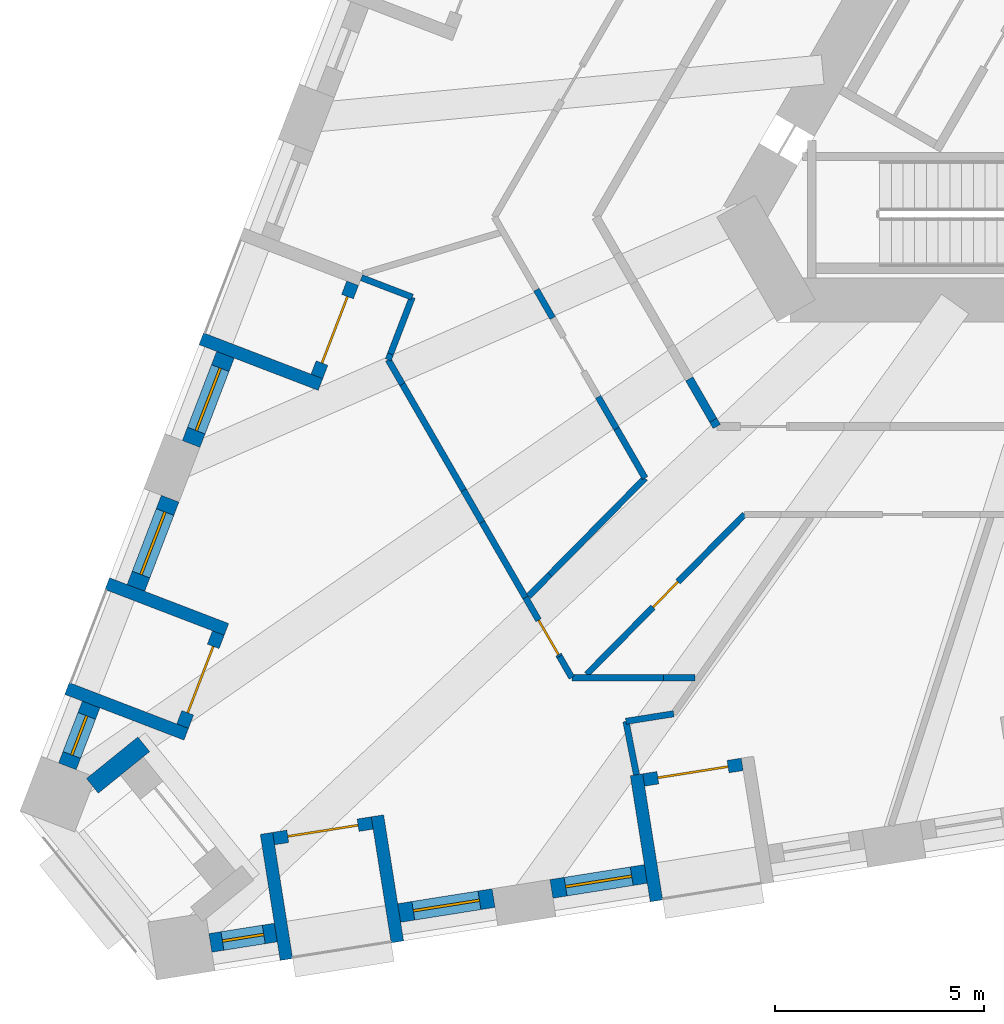
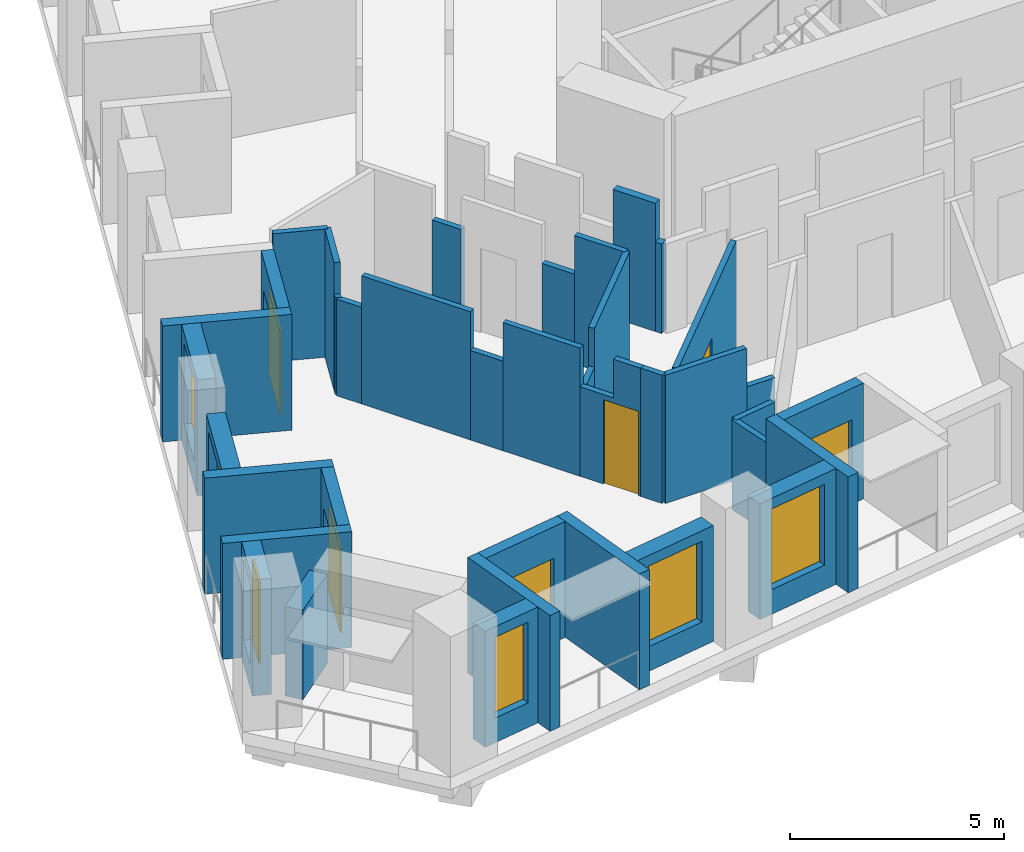
# One storey, part 2 of 14: 38 walls, 6 doors, 6 windows, 12 openings.
"""IFC4 building model written with IfcOpenShell, lengths in metres."""

from ifc_helpers import new_model, si_unit, direction, frame, frame_2d, origin, place, context, subcontext, project, spatial, polyline, rectangle, outline, extrude, material, layer, layer_set, type_object, element, fill, save


model = new_model("IFC4")

# Units and contexts
model_context = context("Model", 3, precision=1e-05, world=origin(), true_north=direction((0.0, 1.0)))
body_context = subcontext(model_context, "Body", "Model", "MODEL_VIEW")
ifc_project = project(units=[si_unit("LENGTHUNIT", "METRE"), si_unit("AREAUNIT", "SQUARE_METRE"), si_unit("VOLUMEUNIT", "CUBIC_METRE"), si_unit("PLANEANGLEUNIT", "RADIAN"), si_unit("MASSUNIT", "GRAM", prefix="KILO")], contexts=[model_context])

# Site, building, storey
site_placement = place(None, origin())
site = spatial("IfcSite", under=ifc_project, at=site_placement, CompositionType="ELEMENT")
building_placement = place(site_placement, origin())
building = spatial("IfcBuilding", under=site, at=building_placement, Name="Tramontana Tower", CompositionType="ELEMENT")
storey_placement = place(building_placement, frame((0.0, 0.0, 79.199951171875)))
storey = spatial("IfcBuildingStorey", under=building, at=storey_placement, Name="L17", CompositionType="ELEMENT", Elevation=79.199951171875)

# Walls
ifc_material_1 = material(Name="Blockwork", Category="masonry")
ifc_layer_1 = layer(ifc_material_1, 0.199951171875)
ifc_layer_set_1 = layer_set([ifc_layer_1], Name="ENTRY WALL 200")
wall_type_1 = type_object("IfcWallType", Name="ENTRY WALL 200", PredefinedType="SOLIDWALL", material=ifc_layer_set_1)
wall_1_placement = place(storey_placement, frame((-10.248046875, -9.25, 0.0), z_axis=(0.0, 0.0, 1.0), x_axis=(-0.499516518495, 0.866304362075, 0.0)))
element("IfcWall", 1, at=wall_1_placement, inside=storey, type_object=wall_type_1, Name="Wall v12-ew3-0", PredefinedType="SOLIDWALL", context=body_context, shape_type="SweptSolid", body=[
    extrude(rectangle(XDim=0.171142578125, YDim=0.199951171875, at=frame_2d((0.08544921875, 0.0))), origin(), (0.0, 0.0, 1.0), 2.550048828125),
])
wall_2_placement = place(storey_placement, frame((-10.33349609375, -9.101806640625, 0.0), z_axis=(0.0, 0.0, 1.0), x_axis=(-0.500049527193, 0.865996807358, 0.0)))
element("IfcWall", 2, at=wall_2_placement, inside=storey, type_object=wall_type_1, Name="Wall v12-ew3-1", PredefinedType="SOLIDWALL", context=body_context, shape_type="SweptSolid", body=[
    extrude(rectangle(XDim=1.1416015625, YDim=0.199951171875, at=frame_2d((0.57080078125, 0.0))), origin(), (0.0, 0.0, 1.0), 3.650146484375),
])

# Wall, opening, window
ifc_material_2 = material(Name="Precast concrete 60 MPa", Category="concrete")
ifc_layer_2 = layer(ifc_material_2, 0.449951171875)
ifc_layer_set_2 = layer_set([ifc_layer_2], Name="Precast concrete 60 MPa, 450 mm")
wall_type_2 = type_object("IfcWallType", Name="EW1 Stone-faced precast wall 450", PredefinedType="SOLIDWALL", material=ifc_layer_set_2)
wall_3_placement = place(storey_placement, frame((-21.986083984375, -7.536376953125, 0.0), z_axis=(0.0, 0.0, 1.0), x_axis=(-0.358355550725, -0.933585185864, 0.0)))
wall_3 = element("IfcWall", 3, at=wall_3_placement, inside=storey, type_object=wall_type_2, Name="External wall L17 face 0 bay 5", PredefinedType="SOLIDWALL", context=body_context, shape_type="SweptSolid", body=[
    extrude(rectangle(XDim=2.282958984375, YDim=0.449951171875, at=frame_2d((1.1416015625, 0.0))), origin(), (0.0, 0.0, 1.0), 3.300048828125),
])
opening_1_placement = place(wall_3_placement, frame((0.341552734375, 0.0, 0.699951171875)))
opening_1 = element("IfcOpeningElement", 4, at=opening_1_placement, cuts=wall_3, Name="Opening M1", PredefinedType="OPENING", context=body_context, shape_type="SweptSolid", body=[
    extrude(rectangle(XDim=1.60009765625, YDim=2.300048828125, at=frame_2d((0.800048828125, 1.14990234375))), frame((0.0, 0.23486328125, 0.0), z_axis=(0.0, -1.0, 0.0), x_axis=(1.0, 0.0, 0.0)), (0.0, 0.0, 1.0), 0.469970703125),
])
ifc_material_3 = material(Name="Aluminum frame, double glazing unit", Category="aluminium")
window_type_1 = type_object("IfcWindowType", Name="M1 Window 1.6 x 2.3", PartitioningType="SINGLE_PANEL", PredefinedType="WINDOW", material=ifc_material_3)
window_1_placement = place(opening_1_placement, origin())
window_1 = element("IfcWindow", 5, at=window_1_placement, inside=storey, type_object=window_type_1, Name="Window M1 L17 face 0 module 15", OverallHeight=2.300048828125, OverallWidth=1.60009765625, PartitioningType="SINGLE_PANEL", PredefinedType="WINDOW", context=body_context, shape_type="SweptSolid", body=[
    extrude(rectangle(XDim=1.60009765625, YDim=2.300048828125, at=frame_2d((0.800048828125, 1.14990234375))), frame((0.0, 0.030029296875, 0.0), z_axis=(0.0, -1.0, 0.0), x_axis=(1.0, 0.0, 0.0)), (0.0, 0.0, 1.0), 0.06005859375),
])
fill(opening_1, window_1)

wall_4_placement = place(storey_placement, frame((-23.305908203125, -10.974609375, 0.0), z_axis=(0.0, 0.0, 1.0), x_axis=(-0.358355550725, -0.933585185864, 0.0)))
wall_4 = element("IfcWall", 6, at=wall_4_placement, inside=storey, type_object=wall_type_2, Name="External wall L17 face 0 bay 6", PredefinedType="SOLIDWALL", context=body_context, shape_type="SweptSolid", body=[
    extrude(rectangle(XDim=2.282958984375, YDim=0.449951171875, at=frame_2d((1.1416015625, 0.0))), origin(), (0.0, 0.0, 1.0), 3.300048828125),
])
opening_2_placement = place(wall_4_placement, frame((0.341552734375, 0.0, 0.699951171875)))
opening_2 = element("IfcOpeningElement", 7, at=opening_2_placement, cuts=wall_4, Name="Opening M1", PredefinedType="OPENING", context=body_context, shape_type="SweptSolid", body=[
    extrude(rectangle(XDim=1.60009765625, YDim=2.300048828125, at=frame_2d((0.800048828125, 1.14990234375))), frame((0.0, 0.23486328125, 0.0), z_axis=(0.0, -1.0, 0.0), x_axis=(1.0, 0.0, 0.0)), (0.0, 0.0, 1.0), 0.469970703125),
])
window_2_placement = place(opening_2_placement, origin())
window_2 = element("IfcWindow", 8, at=window_2_placement, inside=storey, type_object=window_type_1, Name="Window M1 L17 face 0 module 16", OverallHeight=2.300048828125, OverallWidth=1.60009765625, PartitioningType="SINGLE_PANEL", PredefinedType="WINDOW", context=body_context, shape_type="SweptSolid", body=[
    extrude(rectangle(XDim=1.60009765625, YDim=2.300048828125, at=frame_2d((0.800048828125, 1.14990234375))), frame((0.0, 0.030029296875, 0.0), z_axis=(0.0, -1.0, 0.0), x_axis=(1.0, 0.0, 0.0)), (0.0, 0.0, 1.0), 0.06005859375),
])
fill(opening_2, window_2)

wall_5_placement = place(storey_placement, frame((-25.193115234375, -15.890869140625, 0.0), z_axis=(0.0, 0.0, 1.0), x_axis=(-0.358431261356, -0.933556120907, 0.0)))
wall_5 = element("IfcWall", 9, at=wall_5_placement, inside=storey, type_object=wall_type_2, Name="External wall L17 face 0 bay 6", PredefinedType="SOLIDWALL", context=body_context, shape_type="SweptSolid", body=[
    extrude(rectangle(XDim=1.5830078125, YDim=0.449951171875, at=frame_2d((0.79150390625, 0.0))), origin(), (0.0, 0.0, 1.0), 3.300048828125),
])
opening_3_placement = place(wall_5_placement, frame((0.29150390625, 0.0, 0.699951171875)))
opening_3 = element("IfcOpeningElement", 10, at=opening_3_placement, cuts=wall_5, Name="Opening N1", PredefinedType="OPENING", context=body_context, shape_type="SweptSolid", body=[
    extrude(rectangle(XDim=1.0, YDim=2.300048828125, at=frame_2d((0.5, 1.14990234375))), frame((0.0, 0.23486328125, 0.0), z_axis=(0.0, -1.0, 0.0), x_axis=(1.0, 0.0, 0.0)), (0.0, 0.0, 1.0), 0.469970703125),
])
ifc_material_4 = material(Name="Aluminum frame, double glazing unit", Category="aluminium")
window_type_2 = type_object("IfcWindowType", Name="N1 Window 1 x 2.3", PartitioningType="SINGLE_PANEL", PredefinedType="WINDOW", material=ifc_material_4)
window_3_placement = place(opening_3_placement, origin())
window_3 = element("IfcWindow", 11, at=window_3_placement, inside=storey, type_object=window_type_2, Name="Window N1 L17 face 0 module 18", OverallHeight=2.300048828125, OverallWidth=1.0, PartitioningType="SINGLE_PANEL", PredefinedType="WINDOW", context=body_context, shape_type="SweptSolid", body=[
    extrude(rectangle(XDim=1.0, YDim=2.300048828125, at=frame_2d((0.5, 1.14990234375))), frame((0.0, 0.030029296875, 0.0), z_axis=(0.0, -1.0, 0.0), x_axis=(1.0, 0.0, 0.0)), (0.0, 0.0, 1.0), 0.06005859375),
])
fill(opening_3, window_3)

wall_6_placement = place(storey_placement, frame((-22.344970703125, -21.586181640625, 0.0), z_axis=(0.0, 0.0, 1.0), x_axis=(0.987695344573, 0.156390237257, 0.0)))
wall_6 = element("IfcWall", 12, at=wall_6_placement, inside=storey, type_object=wall_type_2, Name="External wall L17 face 1 bay 1", PredefinedType="SOLIDWALL", context=body_context, shape_type="SweptSolid", body=[
    extrude(rectangle(XDim=1.5830078125, YDim=0.449951171875, at=frame_2d((0.79150390625, 0.0))), origin(), (0.0, 0.0, 1.0), 3.300048828125),
])
opening_4_placement = place(wall_6_placement, frame((0.29150390625, 0.0, 0.699951171875)))
opening_4 = element("IfcOpeningElement", 13, at=opening_4_placement, cuts=wall_6, Name="Opening N1", PredefinedType="OPENING", context=body_context, shape_type="SweptSolid", body=[
    extrude(rectangle(XDim=1.0, YDim=2.300048828125, at=frame_2d((0.5, 1.14990234375))), frame((0.0, 0.23486328125, 0.0), z_axis=(0.0, -1.0, 0.0), x_axis=(1.0, 0.0, 0.0)), (0.0, 0.0, 1.0), 0.469970703125),
])
window_4_placement = place(opening_4_placement, origin())
window_4 = element("IfcWindow", 14, at=window_4_placement, inside=storey, type_object=window_type_2, Name="Window N1 L17 face 1 module 1", OverallHeight=2.300048828125, OverallWidth=1.0, PartitioningType="SINGLE_PANEL", PredefinedType="WINDOW", context=body_context, shape_type="SweptSolid", body=[
    extrude(rectangle(XDim=1.0, YDim=2.300048828125, at=frame_2d((0.5, 1.14990234375))), frame((0.0, 0.030029296875, 0.0), z_axis=(0.0, -1.0, 0.0), x_axis=(1.0, 0.0, 0.0)), (0.0, 0.0, 1.0), 0.06005859375),
])
fill(opening_4, window_4)

wall_7_placement = place(storey_placement, frame((-17.835205078125, -20.8720703125, 0.0), z_axis=(0.0, 0.0, 1.0), x_axis=(0.987685675151, 0.156451293065, 0.0)))
wall_7 = element("IfcWall", 15, at=wall_7_placement, inside=storey, type_object=wall_type_2, Name="External wall L17 face 1 bay 1", PredefinedType="SOLIDWALL", context=body_context, shape_type="SweptSolid", body=[
    extrude(rectangle(XDim=2.282958984375, YDim=0.449951171875, at=frame_2d((1.1416015625, 0.0))), origin(), (0.0, 0.0, 1.0), 3.300048828125),
])
opening_5_placement = place(wall_7_placement, frame((0.341552734375, 0.0, 0.699951171875)))
opening_5 = element("IfcOpeningElement", 16, at=opening_5_placement, cuts=wall_7, Name="Opening M1", PredefinedType="OPENING", context=body_context, shape_type="SweptSolid", body=[
    extrude(rectangle(XDim=1.60009765625, YDim=2.300048828125, at=frame_2d((0.800048828125, 1.14990234375))), frame((0.0, 0.23486328125, 0.0), z_axis=(0.0, -1.0, 0.0), x_axis=(1.0, 0.0, 0.0)), (0.0, 0.0, 1.0), 0.469970703125),
])
window_5_placement = place(opening_5_placement, origin())
window_5 = element("IfcWindow", 17, at=window_5_placement, inside=storey, type_object=window_type_1, Name="Window M1 L17 face 1 module 3", OverallHeight=2.300048828125, OverallWidth=1.60009765625, PartitioningType="SINGLE_PANEL", PredefinedType="WINDOW", context=body_context, shape_type="SweptSolid", body=[
    extrude(rectangle(XDim=1.60009765625, YDim=2.300048828125, at=frame_2d((0.800048828125, 1.14990234375))), frame((0.0, 0.030029296875, 0.0), z_axis=(0.0, -1.0, 0.0), x_axis=(1.0, 0.0, 0.0)), (0.0, 0.0, 1.0), 0.06005859375),
])
fill(opening_5, window_5)

wall_8_placement = place(storey_placement, frame((-14.19775390625, -20.2958984375, 0.0), z_axis=(0.0, 0.0, 1.0), x_axis=(0.987685675151, 0.156451293065, 0.0)))
wall_8 = element("IfcWall", 18, at=wall_8_placement, inside=storey, type_object=wall_type_2, Name="External wall L17 face 1 bay 2", PredefinedType="SOLIDWALL", context=body_context, shape_type="SweptSolid", body=[
    extrude(rectangle(XDim=2.282958984375, YDim=0.449951171875, at=frame_2d((1.1416015625, 0.0))), origin(), (0.0, 0.0, 1.0), 3.300048828125),
])
opening_6_placement = place(wall_8_placement, frame((0.341552734375, 0.0, 0.699951171875)))
opening_6 = element("IfcOpeningElement", 19, at=opening_6_placement, cuts=wall_8, Name="Opening M1", PredefinedType="OPENING", context=body_context, shape_type="SweptSolid", body=[
    extrude(rectangle(XDim=1.60009765625, YDim=2.300048828125, at=frame_2d((0.800048828125, 1.14990234375))), frame((0.0, 0.23486328125, 0.0), z_axis=(0.0, -1.0, 0.0), x_axis=(1.0, 0.0, 0.0)), (0.0, 0.0, 1.0), 0.469970703125),
])
window_6_placement = place(opening_6_placement, origin())
window_6 = element("IfcWindow", 20, at=window_6_placement, inside=storey, type_object=window_type_1, Name="Window M1 L17 face 1 module 4", OverallHeight=2.300048828125, OverallWidth=1.60009765625, PartitioningType="SINGLE_PANEL", PredefinedType="WINDOW", context=body_context, shape_type="SweptSolid", body=[
    extrude(rectangle(XDim=1.60009765625, YDim=2.300048828125, at=frame_2d((0.800048828125, 1.14990234375))), frame((0.0, 0.030029296875, 0.0), z_axis=(0.0, -1.0, 0.0), x_axis=(1.0, 0.0, 0.0)), (0.0, 0.0, 1.0), 0.06005859375),
])
fill(opening_6, window_6)

# Wall
wall_9_placement = place(storey_placement, frame((-25.162841796875, -17.835205078125, 0.0), z_axis=(0.0, 0.0, 1.0), x_axis=(0.777129655516, 0.629340526677, 0.0)))
element("IfcWall", 21, at=wall_9_placement, inside=storey, type_object=wall_type_2, Name="Corner loggia side wall L17 K11r", PredefinedType="SOLIDWALL", context=body_context, shape_type="SweptSolid", body=[
    extrude(rectangle(XDim=1.579345703125, YDim=0.449951171875, at=frame_2d((0.78955078125, 0.0))), origin(), (0.0, 0.0, 1.0), 2.550048828125),
])

# Wall, opening, door
ifc_material_5 = material(Name="Precast concrete 60 MPa", Category="concrete")
ifc_layer_3 = layer(ifc_material_5, 0.300048828125)
ifc_layer_set_3 = layer_set([ifc_layer_3], Name="LW1 Stone-faced loggia wall 300")
wall_type_3 = type_object("IfcWallType", Name="LW1 Stone-faced loggia wall 300", PredefinedType="SOLIDWALL", material=ifc_layer_set_3)
wall_10_placement = place(storey_placement, frame((-18.947265625, -5.828857421875, 0.0), z_axis=(0.0, 0.0, 1.0), x_axis=(-0.358354292693, -0.933585668757, 0.0)))
wall_10 = element("IfcWall", 22, at=wall_10_placement, inside=storey, type_object=wall_type_3, Name="Loggia wall L17 G1S0.13", PredefinedType="SOLIDWALL", context=body_context, shape_type="SweptSolid", body=[
    extrude(rectangle(XDim=2.383056640625, YDim=0.300048828125, at=frame_2d((1.19140625, 0.0))), origin(), (0.0, 0.0, 1.0), 3.300048828125),
])
opening_7_placement = place(wall_10_placement, frame((0.341552734375, 0.0, 0.0)))
opening_7 = element("IfcOpeningElement", 23, at=opening_7_placement, cuts=wall_10, Name="Opening BD-1S0-13", PredefinedType="OPENING", context=body_context, shape_type="SweptSolid", body=[
    extrude(rectangle(XDim=1.699951171875, YDim=2.39990234375, at=frame_2d((0.85009765625, 1.199951171875))), frame((0.0, 0.159912109375, 0.0), z_axis=(0.0, -1.0, 0.0), x_axis=(1.0, 0.0, 0.0)), (0.0, 0.0, 1.0), 0.320068359375),
])
ifc_material_6 = material(Name="Aluminum frame, double glazing unit", Category="aluminium")
door_type_1 = type_object("IfcDoorType", Name="BD1 Sliding door 1.7 x 2.4", OperationType="SLIDING_TO_LEFT", PredefinedType="DOOR", material=ifc_material_6)
door_1_placement = place(opening_7_placement, origin())
door_1 = element("IfcDoor", 24, at=door_1_placement, inside=storey, type_object=door_type_1, Name="Loggia door L17 G1S0.13", OperationType="SLIDING_TO_LEFT", OverallHeight=2.39990234375, OverallWidth=1.699951171875, PredefinedType="DOOR", context=body_context, shape_type="SweptSolid", body=[
    extrude(rectangle(XDim=1.699951171875, YDim=2.39990234375, at=frame_2d((0.85009765625, 1.199951171875))), frame((0.0, 0.02490234375, 0.0), z_axis=(0.0, -1.0, 0.0), x_axis=(1.0, 0.0, 0.0)), (0.0, 0.0, 1.0), 0.050048828125),
])
fill(opening_7, door_1)

# Wall
wall_11_placement = place(storey_placement, frame((-22.5625, -7.154296875, 0.0), z_axis=(0.0, 0.0, 1.0), x_axis=(0.933580593625, -0.358367514161, 0.0)))
element("IfcWall", 25, at=wall_11_placement, inside=storey, type_object=wall_type_3, Name="Loggia return L17 G1S0.13b", PredefinedType="SOLIDWALL", context=body_context, shape_type="SweptSolid", body=[
    extrude(rectangle(XDim=3.050048828125, YDim=0.300048828125, at=frame_2d((1.52490234375, 0.0))), origin(), (0.0, 0.0, 1.0), 3.300048828125),
])

# Wall, opening, door
wall_12_placement = place(storey_placement, frame((-22.154296875, -14.18359375, 0.0), z_axis=(0.0, 0.0, 1.0), x_axis=(-0.35838856932, -0.933572511046, 0.0)))
wall_12 = element("IfcWall", 26, at=wall_12_placement, inside=storey, type_object=wall_type_3, Name="Loggia wall L17 G1S0.16", PredefinedType="SOLIDWALL", context=body_context, shape_type="SweptSolid", body=[
    extrude(rectangle(XDim=2.3828125, YDim=0.300048828125, at=frame_2d((1.19140625, 0.0))), origin(), (0.0, 0.0, 1.0), 3.300048828125),
])
opening_8_placement = place(wall_12_placement, frame((0.341552734375, 0.0, 0.0)))
opening_8 = element("IfcOpeningElement", 27, at=opening_8_placement, cuts=wall_12, Name="Opening BD-1S0-16", PredefinedType="OPENING", context=body_context, shape_type="SweptSolid", body=[
    extrude(rectangle(XDim=1.699951171875, YDim=2.39990234375, at=frame_2d((0.85009765625, 1.199951171875))), frame((0.0, 0.159912109375, 0.0), z_axis=(0.0, -1.0, 0.0), x_axis=(1.0, 0.0, 0.0)), (0.0, 0.0, 1.0), 0.320068359375),
])
door_2_placement = place(opening_8_placement, origin())
door_2 = element("IfcDoor", 28, at=door_2_placement, inside=storey, type_object=door_type_1, Name="Loggia door L17 G1S0.16", OperationType="SLIDING_TO_LEFT", OverallHeight=2.39990234375, OverallWidth=1.699951171875, PredefinedType="DOOR", context=body_context, shape_type="SweptSolid", body=[
    extrude(rectangle(XDim=1.699951171875, YDim=2.39990234375, at=frame_2d((0.85009765625, 1.199951171875))), frame((0.0, 0.02490234375, 0.0), z_axis=(0.0, -1.0, 0.0), x_axis=(1.0, 0.0, 0.0)), (0.0, 0.0, 1.0), 0.050048828125),
])
fill(opening_8, door_2)

# Walls
for number, where, z_axis, x_axis, name in (
    (29, (-24.80810546875, -13.004150390625, 0.0), (0.0, 0.0, 1.0), (0.933580593625, -0.358367514161, 0.0), "Loggia return L17 G1S0.16a"),
    (30, (-25.76953125, -15.509033203125, 0.0), (0.0, 0.0, 1.0), (0.933580593625, -0.358367514161, 0.0), "Loggia return L17 G1S0.16b"),
):
    element("IfcWall", number, at=place(storey_placement, frame(where, z_axis=z_axis, x_axis=x_axis)), inside=storey, type_object=wall_type_3, Name=name, PredefinedType="SOLIDWALL", context=body_context, shape_type="SweptSolid", body=[
        extrude(rectangle(XDim=3.050048828125, YDim=0.300048828125, at=frame_2d((1.52490234375, 0.0))), origin(), (0.0, 0.0, 1.0), 3.300048828125),
    ])

# Wall, opening, door
wall_13_placement = place(storey_placement, frame((-20.833251953125, -19.09423828125, 0.0), z_axis=(0.0, 0.0, 1.0), x_axis=(0.987685586014, 0.156451855793, 0.0)))
wall_13 = element("IfcWall", 31, at=wall_13_placement, inside=storey, type_object=wall_type_3, Name="Loggia wall L17 G1S1.1", PredefinedType="SOLIDWALL", context=body_context, shape_type="SweptSolid", body=[
    extrude(rectangle(XDim=2.3828125, YDim=0.300048828125, at=frame_2d((1.19140625, 0.0))), origin(), (0.0, 0.0, 1.0), 3.300048828125),
])
opening_9_placement = place(wall_13_placement, frame((0.341552734375, 0.0, 0.0)))
opening_9 = element("IfcOpeningElement", 32, at=opening_9_placement, cuts=wall_13, Name="Opening BD-1S1-01", PredefinedType="OPENING", context=body_context, shape_type="SweptSolid", body=[
    extrude(rectangle(XDim=1.699951171875, YDim=2.39990234375, at=frame_2d((0.85009765625, 1.199951171875))), frame((0.0, 0.159912109375, 0.0), z_axis=(0.0, -1.0, 0.0), x_axis=(1.0, 0.0, 0.0)), (0.0, 0.0, 1.0), 0.320068359375),
])
door_3_placement = place(opening_9_placement, origin())
door_3 = element("IfcDoor", 33, at=door_3_placement, inside=storey, type_object=door_type_1, Name="Loggia door L17 G1S1.1", OperationType="SLIDING_TO_LEFT", OverallHeight=2.39990234375, OverallWidth=1.699951171875, PredefinedType="DOOR", context=body_context, shape_type="SweptSolid", body=[
    extrude(rectangle(XDim=1.699951171875, YDim=2.39990234375, at=frame_2d((0.85009765625, 1.199951171875))), frame((0.0, 0.02490234375, 0.0), z_axis=(0.0, -1.0, 0.0), x_axis=(1.0, 0.0, 0.0)), (0.0, 0.0, 1.0), 0.050048828125),
])
fill(opening_9, door_3)

# Walls
for number, where, z_axis, x_axis, name in (
    (34, (-20.52783203125, -21.98193359375, 0.0), (0.0, 0.0, 1.0), (-0.156410600741, 0.987692120033, 0.0), "Loggia return L17 G1S1.1a"),
    (35, (-17.8779296875, -21.562255859375, 0.0), (0.0, 0.0, 1.0), (-0.156410600741, 0.987692120033, 0.0), "Loggia return L17 G1S1.1b"),
):
    element("IfcWall", number, at=place(storey_placement, frame(where, z_axis=z_axis, x_axis=x_axis)), inside=storey, type_object=wall_type_3, Name=name, PredefinedType="SOLIDWALL", context=body_context, shape_type="SweptSolid", body=[
        extrude(rectangle(XDim=3.050048828125, YDim=0.300048828125, at=frame_2d((1.52490234375, 0.0))), origin(), (0.0, 0.0, 1.0), 3.300048828125),
    ])

# Wall, opening, door
wall_14_placement = place(storey_placement, frame((-11.99462890625, -17.694091796875, 0.0), z_axis=(0.0, 0.0, 1.0), x_axis=(0.98770391772, 0.156336083232, 0.0)))
wall_14 = element("IfcWall", 36, at=wall_14_placement, inside=storey, type_object=wall_type_3, Name="Loggia wall L17 G1S1.4", PredefinedType="SOLIDWALL", context=body_context, shape_type="SweptSolid", body=[
    extrude(rectangle(XDim=2.383056640625, YDim=0.300048828125, at=frame_2d((1.19140625, 0.0))), origin(), (0.0, 0.0, 1.0), 3.300048828125),
])
opening_10_placement = place(wall_14_placement, frame((0.341552734375, 0.0, 0.0)))
opening_10 = element("IfcOpeningElement", 37, at=opening_10_placement, cuts=wall_14, Name="Opening BD-1S1-04", PredefinedType="OPENING", context=body_context, shape_type="SweptSolid", body=[
    extrude(rectangle(XDim=1.699951171875, YDim=2.39990234375, at=frame_2d((0.85009765625, 1.199951171875))), frame((0.0, 0.159912109375, 0.0), z_axis=(0.0, -1.0, 0.0), x_axis=(1.0, 0.0, 0.0)), (0.0, 0.0, 1.0), 0.320068359375),
])
door_4_placement = place(opening_10_placement, origin())
door_4 = element("IfcDoor", 38, at=door_4_placement, inside=storey, type_object=door_type_1, Name="Loggia door L17 G1S1.4", OperationType="SLIDING_TO_LEFT", OverallHeight=2.39990234375, OverallWidth=1.699951171875, PredefinedType="DOOR", context=body_context, shape_type="SweptSolid", body=[
    extrude(rectangle(XDim=1.699951171875, YDim=2.39990234375, at=frame_2d((0.85009765625, 1.199951171875))), frame((0.0, 0.02490234375, 0.0), z_axis=(0.0, -1.0, 0.0), x_axis=(1.0, 0.0, 0.0)), (0.0, 0.0, 1.0), 0.050048828125),
])
fill(opening_10, door_4)

# Walls
wall_15_placement = place(storey_placement, frame((-11.68896484375, -20.58203125, 0.0), z_axis=(0.0, 0.0, 1.0), x_axis=(-0.156488687365, 0.987679751097, 0.0)))
element("IfcWall", 39, at=wall_15_placement, inside=storey, type_object=wall_type_3, Name="Loggia return L17 G1S1.4a", PredefinedType="SOLIDWALL", context=body_context, shape_type="SweptSolid", body=[
    extrude(rectangle(XDim=3.050048828125, YDim=0.300048828125, at=frame_2d((1.52490234375, 0.0))), origin(), (0.0, 0.0, 1.0), 3.300048828125),
])
ifc_material_7 = material(Name="Gypsum board partition")
ifc_layer_4 = layer(ifc_material_7, 0.14990234375)
ifc_layer_set_4 = layer_set([ifc_layer_4], Name="PARTITION 150")
wall_type_4 = type_object("IfcWallType", Name="PARTITION 150", PredefinedType="PARTITIONING", material=ifc_layer_set_4)
wall_16_placement = place(storey_placement, frame((-18.095703125, -7.6572265625, 0.0), z_axis=(0.0, 0.0, 1.0), x_axis=(0.357769069642, 0.933810094616, 0.0)))
element("IfcWall", 40, at=wall_16_placement, inside=storey, type_object=wall_type_4, Name="Wall v12-pw01-0", PredefinedType="PARTITIONING", context=body_context, shape_type="SweptSolid", body=[
    extrude(rectangle(XDim=0.148681640625, YDim=0.14990234375, at=frame_2d((0.07421875, 0.0))), origin(), (0.0, 0.0, 1.0), 2.75),
])
wall_17_placement = place(storey_placement, frame((-18.04248046875, -7.518310546875, 0.0), z_axis=(0.0, 0.0, 1.0), x_axis=(0.358358926924, 0.933583889907, 0.0)))
element("IfcWall", 41, at=wall_17_placement, inside=storey, type_object=wall_type_4, Name="Wall v12-pw01-1", PredefinedType="PARTITIONING", context=body_context, shape_type="SweptSolid", body=[
    extrude(rectangle(XDim=1.451171875, YDim=0.14990234375, at=frame_2d((0.7255859375, 0.0))), origin(), (0.0, 0.0, 1.0), 3.650146484375),
])
wall_18_placement = place(storey_placement, frame((-17.523681640625, -6.1611328125, 0.0), z_axis=(0.0, 0.0, 1.0), x_axis=(-0.933549030412, 0.358449728438, 0.0)))
element("IfcWall", 42, at=wall_18_placement, inside=storey, type_object=wall_type_4, Name="Wall v12-pw02", PredefinedType="PARTITIONING", context=body_context, shape_type="SweptSolid", body=[
    extrude(rectangle(XDim=1.298095703125, YDim=0.14990234375, at=frame_2d((0.64892578125, 0.0))), origin(), (0.0, 0.0, 1.0), 3.650146484375),
])
wall_19_placement = place(storey_placement, frame((-14.7470703125, -13.307373046875, 0.0), z_axis=(0.0, 0.0, 1.0), x_axis=(0.702386148925, 0.711796106901, 0.0)))
element("IfcWall", 43, at=wall_19_placement, inside=storey, type_object=wall_type_4, Name="Wall v12-pw05-0", PredefinedType="PARTITIONING", context=body_context, shape_type="SweptSolid", body=[
    extrude(rectangle(XDim=0.7265625, YDim=0.14990234375, at=frame_2d((0.36328125, 0.0))), origin(), (0.0, 0.0, 1.0), 2.550048828125),
])
wall_20_placement = place(storey_placement, frame((-14.23681640625, -12.790283203125, 0.0), z_axis=(0.0, 0.0, 1.0), x_axis=(0.702344771422, 0.711836935018, 0.0)))
element("IfcWall", 44, at=wall_20_placement, inside=storey, type_object=wall_type_4, Name="Wall v12-pw05-1", PredefinedType="PARTITIONING", context=body_context, shape_type="SweptSolid", body=[
    extrude(rectangle(XDim=3.24072265625, YDim=0.14990234375, at=frame_2d((1.620361328125, 0.0))), origin(), (0.0, 0.0, 1.0), 3.650146484375),
])
wall_21_placement = place(storey_placement, frame((-13.712158203125, -15.25, 0.0), z_axis=(0.0, 0.0, 1.0), x_axis=(-0.499999433879, 0.866025730634, 0.0)))
element("IfcWall", 45, at=wall_21_placement, inside=storey, type_object=wall_type_4, Name="Wall v12-pw06-0", PredefinedType="PARTITIONING", context=body_context, shape_type="SweptSolid", body=[
    extrude(rectangle(XDim=0.5849609375, YDim=0.14990234375, at=frame_2d((0.29248046875, 0.0))), origin(), (0.0, 0.0, 1.0), 3.650146484375),
])

# Wall, opening, door
wall_22_placement = place(storey_placement, frame((-14.004638671875, -14.743408203125, 0.0), z_axis=(0.0, 0.0, 1.0), x_axis=(-0.499952193351, 0.866053003207, 0.0)))
wall_22 = element("IfcWall", 46, at=wall_22_placement, inside=storey, type_object=wall_type_4, Name="Wall v12-pw06-1", PredefinedType="PARTITIONING", context=body_context, shape_type="SweptSolid", body=[
    extrude(outline(polyline([(0.0, 0.0), (1.625244140625, 0.0), (1.625, 2.550048828125), (0.72607421875, 2.550048828125), (0.72607421875, 3.650146484375), (0.0, 3.650146484375), (0.0, 0.0)])), frame((0.0, 0.074951171875, 0.0), z_axis=(0.0, -1.0, 0.0), x_axis=(1.0, 0.0, 0.0)), (0.0, 0.0, 1.0), 0.14990234375),
])
opening_11_placement = place(wall_22_placement, frame((0.050048828125, 0.0, 0.0)))
opening_11 = element("IfcOpeningElement", 47, at=opening_11_placement, cuts=wall_22, Name="Opening B1C-10", PredefinedType="OPENING", context=body_context, shape_type="SweptSolid", body=[
    extrude(rectangle(XDim=0.949951171875, YDim=2.39990234375, at=frame_2d((0.47509765625, 1.199951171875))), frame((0.0, 0.0849609375, 0.0), z_axis=(0.0, -1.0, 0.0), x_axis=(1.0, 0.0, 0.0)), (0.0, 0.0, 1.0), 0.169921875),
])
ifc_material_8 = material(Name="Painted timber", Category="wood")
door_type_2 = type_object("IfcDoorType", Name="DOOR ROOM 950", OperationType="SINGLE_SWING_LEFT", PredefinedType="DOOR", material=ifc_material_8)
door_5_placement = place(opening_11_placement, origin())
door_5 = element("IfcDoor", 48, at=door_5_placement, inside=storey, type_object=door_type_2, Name="Door B1C-10", OperationType="SINGLE_SWING_RIGHT", OverallHeight=2.39990234375, OverallWidth=0.949951171875, PredefinedType="DOOR", context=body_context, shape_type="SweptSolid", body=[
    extrude(rectangle(XDim=0.949951171875, YDim=2.39990234375, at=frame_2d((0.47509765625, 1.199951171875))), frame((0.0, 0.02490234375, 0.0), z_axis=(0.0, -1.0, 0.0), x_axis=(1.0, 0.0, 0.0)), (0.0, 0.0, 1.0), 0.050048828125),
])
fill(opening_11, door_5)

# Walls
wall_23_placement = place(storey_placement, frame((-14.817138671875, -13.3359375, 0.0), z_axis=(0.0, 0.0, 1.0), x_axis=(-0.500027264788, 0.866009661879, 0.0)))
element("IfcWall", 49, at=wall_23_placement, inside=storey, type_object=wall_type_4, Name="Wall v12-pw06-2", PredefinedType="PARTITIONING", context=body_context, shape_type="SweptSolid", body=[
    extrude(rectangle(XDim=2.080078125, YDim=0.14990234375, at=frame_2d((1.0400390625, 0.0))), origin(), (0.0, 0.0, 1.0), 3.650146484375),
])
wall_24_placement = place(storey_placement, frame((-15.857177734375, -11.53466796875, 0.0), z_axis=(0.0, 0.0, 1.0), x_axis=(-0.49990697594, 0.86607910459, 0.0)))
element("IfcWall", 50, at=wall_24_placement, inside=storey, type_object=wall_type_4, Name="Wall v12-pw06-3", PredefinedType="PARTITIONING", context=body_context, shape_type="SweptSolid", body=[
    extrude(rectangle(XDim=0.878173828125, YDim=0.14990234375, at=frame_2d((0.43896484375, 0.0))), origin(), (0.0, 0.0, 1.0), 2.550048828125),
])
wall_25_placement = place(storey_placement, frame((-16.296142578125, -10.774169921875, 0.0), z_axis=(0.0, 0.0, 1.0), x_axis=(-0.499980071345, 0.866036909293, 0.0)))
element("IfcWall", 51, at=wall_25_placement, inside=storey, type_object=wall_type_4, Name="Wall v12-pw06-4", PredefinedType="PARTITIONING", context=body_context, shape_type="SweptSolid", body=[
    extrude(rectangle(XDim=2.92578125, YDim=0.14990234375, at=frame_2d((1.462890625, 0.0))), origin(), (0.0, 0.0, 1.0), 3.650146484375),
])
wall_26_placement = place(storey_placement, frame((-17.759033203125, -8.240234375, 0.0), z_axis=(0.0, 0.0, 1.0), x_axis=(-0.500078207394, 0.865980246016, 0.0)))
element("IfcWall", 52, at=wall_26_placement, inside=storey, type_object=wall_type_4, Name="Wall v12-pw06-5", PredefinedType="PARTITIONING", context=body_context, shape_type="SweptSolid", body=[
    extrude(rectangle(XDim=0.67333984375, YDim=0.14990234375, at=frame_2d((0.336669921875, 0.0))), origin(), (0.0, 0.0, 1.0), 2.75),
])
wall_27_placement = place(storey_placement, frame((-12.4189453125, -16.295166015625, 0.0), z_axis=(0.0, 0.0, 1.0), x_axis=(0.19448969742, -0.980904560902, 0.0)))
element("IfcWall", 53, at=wall_27_placement, inside=storey, type_object=wall_type_4, Name="Wall v12-pw08-0", PredefinedType="PARTITIONING", context=body_context, shape_type="SweptSolid", body=[
    extrude(rectangle(XDim=1.29931640625, YDim=0.14990234375, at=frame_2d((0.649658203125, 0.0))), origin(), (0.0, 0.0, 1.0), 2.550048828125),
])
wall_28_placement = place(storey_placement, frame((-11.960693359375, -10.4833984375, 0.0), z_axis=(0.0, 0.0, 1.0), x_axis=(-0.500032730183, 0.86600650618, 0.0)))
element("IfcWall", 54, at=wall_28_placement, inside=storey, type_object=wall_type_4, Name="Wall v12-pw10-0", PredefinedType="PARTITIONING", context=body_context, shape_type="SweptSolid", body=[
    extrude(rectangle(XDim=1.3623046875, YDim=0.14990234375, at=frame_2d((0.68115234375, 0.0))), origin(), (0.0, 0.0, 1.0), 3.650146484375),
])
wall_29_placement = place(storey_placement, frame((-12.641845703125, -9.3037109375, 0.0), z_axis=(0.0, 0.0, 1.0), x_axis=(-0.500027377864, 0.86600959659, 0.0)))
element("IfcWall", 55, at=wall_29_placement, inside=storey, type_object=wall_type_4, Name="Wall v12-pw10-1", PredefinedType="PARTITIONING", context=body_context, shape_type="SweptSolid", body=[
    extrude(rectangle(XDim=0.8779296875, YDim=0.14990234375, at=frame_2d((0.43896484375, 0.0))), origin(), (0.0, 0.0, 1.0), 2.550048828125),
])
wall_30_placement = place(storey_placement, frame((-14.168212890625, -6.659912109375, 0.0), z_axis=(0.0, 0.0, 1.0), x_axis=(-0.500011542666, 0.866018739521, 0.0)))
element("IfcWall", 56, at=wall_30_placement, inside=storey, type_object=wall_type_4, Name="Wall v12-pw10-3", PredefinedType="PARTITIONING", context=body_context, shape_type="SweptSolid", body=[
    extrude(rectangle(XDim=0.77978515625, YDim=0.14990234375, at=frame_2d((0.389892578125, 0.0))), origin(), (0.0, 0.0, 1.0), 2.75),
])
wall_31_placement = place(storey_placement, frame((-11.278076171875, -16.112548828125, 0.0), z_axis=(0.0, 0.0, 1.0), x_axis=(-0.987689053529, -0.156429963686, 0.0)))
element("IfcWall", 57, at=wall_31_placement, inside=storey, type_object=wall_type_4, Name="Wall v12-pw11-0", PredefinedType="PARTITIONING", context=body_context, shape_type="SweptSolid", body=[
    extrude(rectangle(XDim=1.1533203125, YDim=0.14990234375, at=frame_2d((0.57666015625, 0.0))), origin(), (0.0, 0.0, 1.0), 2.550048828125),
])
wall_32_placement = place(storey_placement, frame((-10.765869140625, -15.25, 0.0), z_axis=(0.0, 0.0, 1.0), x_axis=(-1.0, 0.0, 0.0)))
element("IfcWall", 58, at=wall_32_placement, inside=storey, type_object=wall_type_4, Name="Wall v12-pw12-0", PredefinedType="PARTITIONING", context=body_context, shape_type="SweptSolid", body=[
    extrude(rectangle(XDim=0.754638671875, YDim=0.14990234375, at=frame_2d((0.37744140625, 0.0))), origin(), (0.0, 0.0, 1.0), 2.550048828125),
])
wall_33_placement = place(storey_placement, frame((-11.5205078125, -15.25, 0.0), z_axis=(0.0, 0.0, 1.0), x_axis=(-1.0, 0.0, 0.0)))
element("IfcWall", 59, at=wall_33_placement, inside=storey, type_object=wall_type_4, Name="Wall v12-pw12-1", PredefinedType="PARTITIONING", context=body_context, shape_type="SweptSolid", body=[
    extrude(rectangle(XDim=2.191650390625, YDim=0.14990234375, at=frame_2d((1.095703125, 0.0))), origin(), (0.0, 0.0, 1.0), 3.650146484375),
])

# Wall, opening, door
wall_34_placement = place(storey_placement, frame((-9.58447265625, -11.35009765625, 0.0), z_axis=(0.0, 0.0, 1.0), x_axis=(-0.702388865943, -0.711793425791, 0.0)))
wall_34 = element("IfcWall", 60, at=wall_34_placement, inside=storey, type_object=wall_type_4, Name="Wall v12-pw13", PredefinedType="PARTITIONING", context=body_context, shape_type="SweptSolid", body=[
    extrude(rectangle(XDim=5.373779296875, YDim=0.14990234375, at=frame_2d((2.68701171875, 0.0))), origin(), (0.0, 0.0, 1.0), 3.650146484375),
])
opening_12_placement = place(wall_34_placement, frame((2.261962890625, 0.0, 0.0)))
opening_12 = element("IfcOpeningElement", 61, at=opening_12_placement, cuts=wall_34, Name="Opening B1C-09", PredefinedType="OPENING", context=body_context, shape_type="SweptSolid", body=[
    extrude(rectangle(XDim=0.85009765625, YDim=2.39990234375, at=frame_2d((0.425048828125, 1.199951171875))), frame((0.0, 0.0849609375, 0.0), z_axis=(0.0, -1.0, 0.0), x_axis=(1.0, 0.0, 0.0)), (0.0, 0.0, 1.0), 0.169921875),
])
ifc_material_9 = material(Name="Painted timber", Category="wood")
door_type_3 = type_object("IfcDoorType", Name="DOOR BATH 850", OperationType="SINGLE_SWING_LEFT", PredefinedType="DOOR", material=ifc_material_9)
door_6_placement = place(opening_12_placement, origin())
door_6 = element("IfcDoor", 62, at=door_6_placement, inside=storey, type_object=door_type_3, Name="Door B1C-09", OperationType="SINGLE_SWING_LEFT", OverallHeight=2.39990234375, OverallWidth=0.85009765625, PredefinedType="DOOR", context=body_context, shape_type="SweptSolid", body=[
    extrude(rectangle(XDim=0.85009765625, YDim=2.39990234375, at=frame_2d((0.425048828125, 1.199951171875))), frame((0.0, 0.02490234375, 0.0), z_axis=(0.0, -1.0, 0.0), x_axis=(1.0, 0.0, 0.0)), (0.0, 0.0, 1.0), 0.050048828125),
])
fill(opening_12, door_6)

save(model, "model.ifc")
